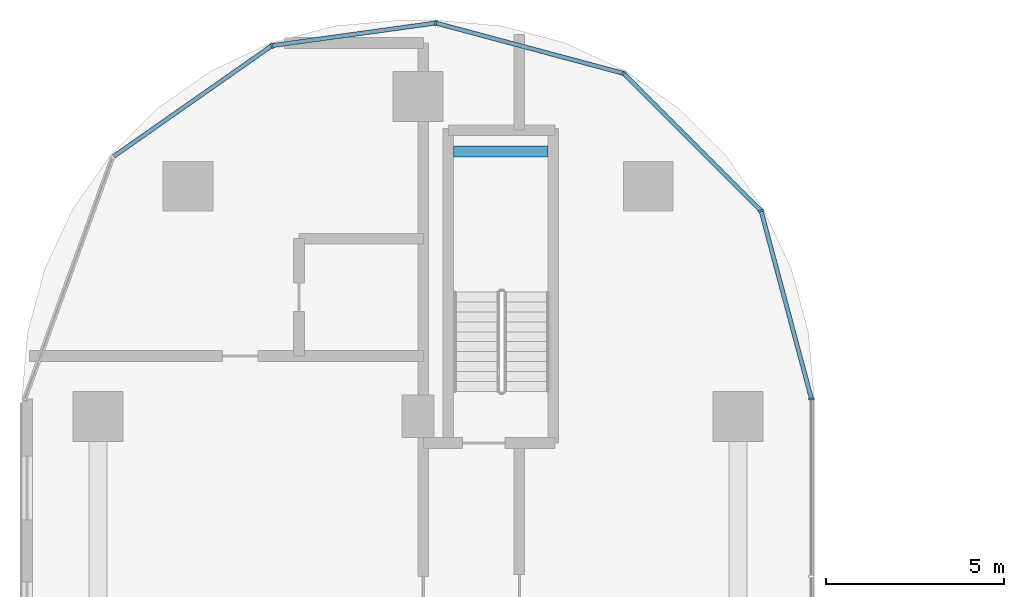
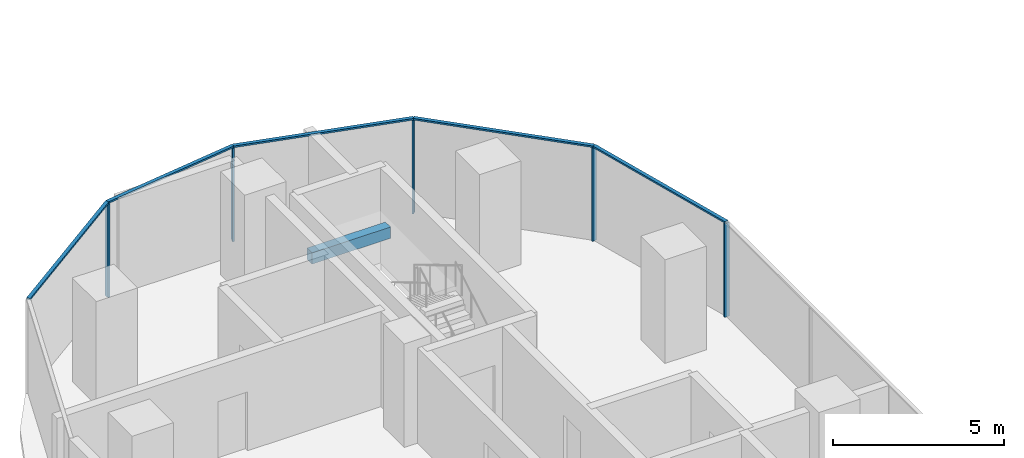
# One storey, part 7 of 32: 10 members, 1 beam, 2 elements without a shape of their own.
"""IFC4 building model written with IfcOpenShell, lengths in metres."""

from ifc_helpers import new_model, si_unit, direction, frame, origin, origin_2d, place, context, subcontext, project, spatial, rectangle, extrude, material, material_profile, profile_set, type_object, element, aggregate, save


model = new_model("IFC4")

# Units and contexts
model_context = context("Model", 3, precision=1e-05, world=origin(), true_north=direction((0.0, 1.0)))
body_context = subcontext(model_context, "Body", "Model", "MODEL_VIEW")
ifc_project = project(units=[si_unit("LENGTHUNIT", "METRE"), si_unit("AREAUNIT", "SQUARE_METRE"), si_unit("VOLUMEUNIT", "CUBIC_METRE"), si_unit("PLANEANGLEUNIT", "RADIAN"), si_unit("MASSUNIT", "GRAM", prefix="KILO")], contexts=[model_context])

# Site, building, storey
site_placement = place(None, origin())
site = spatial("IfcSite", under=ifc_project, at=site_placement, CompositionType="ELEMENT")
building_placement = place(site_placement, origin())
building = spatial("IfcBuilding", under=site, at=building_placement, Name="Ogive Portal Towers", CompositionType="ELEMENT")
storey_placement = place(building_placement, frame((0.0, 0.0, 59.39990234375)))
storey = spatial("IfcBuildingStorey", under=building, at=storey_placement, Name="L13", CompositionType="ELEMENT", Elevation=59.39990234375)

# Beam
ifc_material_1 = material(Name="Concrete C40/50", Category="concrete")
ifc_material_profile_1 = material_profile(ifc_material_1, rectangle(XDim=0.300048828125, YDim=0.39990234375, at=origin_2d()), Name="RC 300x400")
ifc_profile_set_1 = profile_set([ifc_material_profile_1], Name="Concrete C40/50")
beam_type = type_object("IfcBeamType", Name="BEAM RC 300x400", PredefinedType="BEAM", material=ifc_profile_set_1)
beam_placement = place(storey_placement, frame((41.5, 73.949951171875, 1.4501953125), z_axis=(1.0, 0.0, 0.0), x_axis=(0.0, 1.0, 0.0)))
element("IfcBeam", 1, at=beam_placement, inside=storey, type_object=beam_type, Name="Landing beam L13", PredefinedType="BEAM", context=body_context, shape_type="SweptSolid", body=[
    extrude(rectangle(XDim=0.300048828125, YDim=0.39990234375, at=origin_2d()), origin(), (0.0, 0.0, 1.0), 2.64990234375),
])

# Curtain wall, member
ifc_material_2 = material(Name="Glass, clear low-iron insulated glazing", Category="glass")
curtain_wall_type = type_object("IfcCurtainWallType", Name="CW FRONT RIBBON 4500", PredefinedType="NOTDEFINED", material=ifc_material_2)
curtain_wall_1_placement = place(storey_placement, origin())
curtain_wall_1 = element("IfcCurtainWall", 2, at=curtain_wall_1_placement, inside=storey, type_object=curtain_wall_type, Name="A:L13:f21:cw0", PredefinedType="NOTDEFINED")
ifc_material_3 = material(Name="Aluminium 6063 anodised", Category="aluminium")
ifc_material_profile_2 = material_profile(ifc_material_3, rectangle(XDim=0.159912109375, YDim=0.06005859375, at=origin_2d()), Name="AL 60x160")
ifc_profile_set_2 = profile_set([ifc_material_profile_2], Name="Aluminium 6063 anodised")
member_type_1 = type_object("IfcMemberType", Name="CW MULLION 60x160", PredefinedType="MULLION", material=ifc_profile_set_2)
member_1_placement = place(storey_placement, frame((51.56494140625, 66.989501953125, 0.0), z_axis=(0.0, 0.0, 1.0), x_axis=(-1.0, 0.0, 0.0)))
member_1 = element("IfcMember", 3, at=member_1_placement, type_object=member_type_1, Name="mullion", PredefinedType="MULLION", context=body_context, shape_type="SweptSolid", body=[
    extrude(rectangle(XDim=0.159912109375, YDim=0.06005859375, at=origin_2d()), origin(), (0.0, 0.0, 1.0), 3.340087890625),
])
aggregate(curtain_wall_1, [member_1])

# Curtain wall, members
curtain_wall_2_placement = place(storey_placement, origin())
curtain_wall_2 = element("IfcCurtainWall", 4, at=curtain_wall_2_placement, inside=storey, type_object=curtain_wall_type, Name="A:L13:f22:cwa", PredefinedType="NOTDEFINED")
member_2_placement = place(storey_placement, frame((50.147216796875, 72.281005859375, 0.0), z_axis=(0.0, 0.0, 1.0), x_axis=(-0.965925826289, -0.258819045103, 0.0)))
member_2 = element("IfcMember", 5, at=member_2_placement, type_object=member_type_1, Name="mullion", PredefinedType="MULLION", context=body_context, shape_type="SweptSolid", body=[
    extrude(rectangle(XDim=0.159912109375, YDim=0.06005859375, at=origin_2d()), origin(), (0.0, 0.0, 1.0), 3.340087890625),
])
member_3_placement = place(storey_placement, frame((46.281005859375, 76.147216796875, 0.0), z_axis=(0.0, 0.0, 1.0), x_axis=(-0.707106781187, -0.707106781187, 0.0)))
member_3 = element("IfcMember", 6, at=member_3_placement, type_object=member_type_1, Name="mullion", PredefinedType="MULLION", context=body_context, shape_type="SweptSolid", body=[
    extrude(rectangle(XDim=0.159912109375, YDim=0.06005859375, at=origin_2d()), origin(), (0.0, 0.0, 1.0), 3.340087890625),
])
member_4_placement = place(storey_placement, frame((40.994873046875, 77.5634765625, 0.0), z_axis=(0.0, 0.0, 1.0), x_axis=(-0.258819045103, -0.965925826289, 0.0)))
member_4 = element("IfcMember", 7, at=member_4_placement, type_object=member_type_1, Name="mullion", PredefinedType="MULLION", context=body_context, shape_type="SweptSolid", body=[
    extrude(rectangle(XDim=0.159912109375, YDim=0.06005859375, at=origin_2d()), origin(), (0.0, 0.0, 1.0), 3.340087890625),
])
member_5_placement = place(storey_placement, frame((36.38916015625, 76.926513671875, 0.0), z_axis=(0.0, 0.0, 1.0), x_axis=(0.137027216118, -0.990567282946, 0.0)))
member_5 = element("IfcMember", 8, at=member_5_placement, type_object=member_type_1, Name="mullion", PredefinedType="MULLION", context=body_context, shape_type="SweptSolid", body=[
    extrude(rectangle(XDim=0.159912109375, YDim=0.06005859375, at=origin_2d()), origin(), (0.0, 0.0, 1.0), 3.340087890625),
])
ifc_material_profile_3 = material_profile(ifc_material_3, rectangle(XDim=0.1201171875, YDim=0.06005859375, at=origin_2d()), Name="AL 120x60")
ifc_profile_set_3 = profile_set([ifc_material_profile_3], Name="Aluminium 6063 anodised")
member_type_2 = type_object("IfcMemberType", Name="CW TRANSOM 60x120", PredefinedType="USERDEFINED", material=ifc_profile_set_3)
member_6_placement = place(storey_placement, frame((51.56494140625, 66.989501953125, 3.3701171875), z_axis=(-0.258796973975, 0.965931739959, 0.0), x_axis=(-0.965931739959, -0.258796973975, 0.0)))
member_6 = element("IfcMember", 9, at=member_6_placement, type_object=member_type_2, Name="transom", ObjectType="TRANSOM", PredefinedType="USERDEFINED", context=body_context, shape_type="SweptSolid", body=[
    extrude(rectangle(XDim=0.1201171875, YDim=0.06005859375, at=origin_2d()), origin(), (0.0, 0.0, 1.0), 5.47802734375),
])
member_7_placement = place(storey_placement, frame((50.147216796875, 72.281005859375, 3.3701171875), z_axis=(-0.707106781187, 0.707106781187, 0.0), x_axis=(-0.707106781187, -0.707106781187, 0.0)))
member_7 = element("IfcMember", 10, at=member_7_placement, type_object=member_type_2, Name="transom", ObjectType="TRANSOM", PredefinedType="USERDEFINED", context=body_context, shape_type="SweptSolid", body=[
    extrude(rectangle(XDim=0.1201171875, YDim=0.06005859375, at=origin_2d()), origin(), (0.0, 0.0, 1.0), 5.467529296875),
])
member_8_placement = place(storey_placement, frame((46.281005859375, 76.147216796875, 3.3701171875), z_axis=(-0.965932918236, 0.258792576145, 0.0), x_axis=(-0.258792576145, -0.965932918236, 0.0)))
member_8 = element("IfcMember", 11, at=member_8_placement, type_object=member_type_2, Name="transom", ObjectType="TRANSOM", PredefinedType="USERDEFINED", context=body_context, shape_type="SweptSolid", body=[
    extrude(rectangle(XDim=0.1201171875, YDim=0.06005859375, at=origin_2d()), origin(), (0.0, 0.0, 1.0), 5.47265625),
])
member_9_placement = place(storey_placement, frame((40.994873046875, 77.5634765625, 3.3701171875), z_axis=(-0.990571803733, -0.136994531457, 0.0), x_axis=(0.136994531457, -0.990571803733, 0.0)))
member_9 = element("IfcMember", 12, at=member_9_placement, type_object=member_type_2, Name="transom", ObjectType="TRANSOM", PredefinedType="USERDEFINED", context=body_context, shape_type="SweptSolid", body=[
    extrude(rectangle(XDim=0.1201171875, YDim=0.06005859375, at=origin_2d()), origin(), (0.0, 0.0, 1.0), 4.649658203125),
])
member_10_placement = place(storey_placement, frame((36.38916015625, 76.926513671875, 3.3701171875), z_axis=(-0.819139574042, -0.573594245298, 0.0), x_axis=(0.573594245298, -0.819139574042, 0.0)))
member_10 = element("IfcMember", 13, at=member_10_placement, type_object=member_type_2, Name="transom", ObjectType="TRANSOM", PredefinedType="USERDEFINED", context=body_context, shape_type="SweptSolid", body=[
    extrude(rectangle(XDim=0.1201171875, YDim=0.06005859375, at=origin_2d()), origin(), (0.0, 0.0, 1.0), 5.465576171875),
])
aggregate(curtain_wall_2, [member_6, member_7, member_8, member_9, member_10, member_2, member_3, member_4, member_5])

save(model, "model.ifc")
